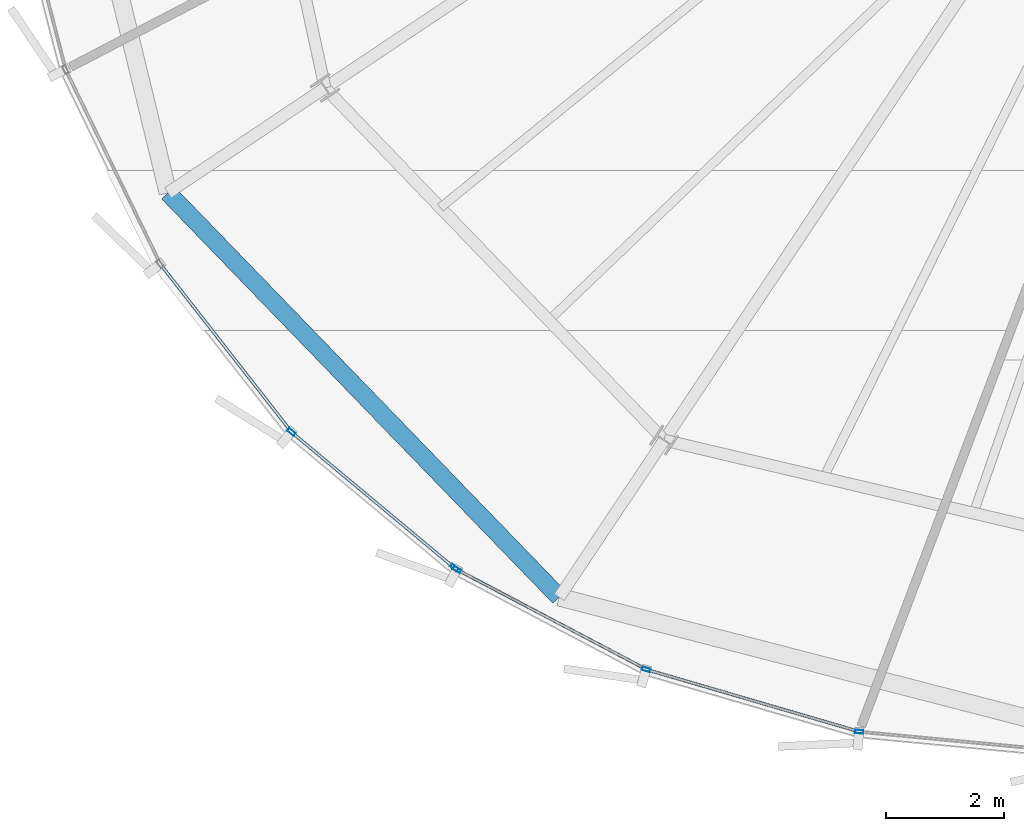
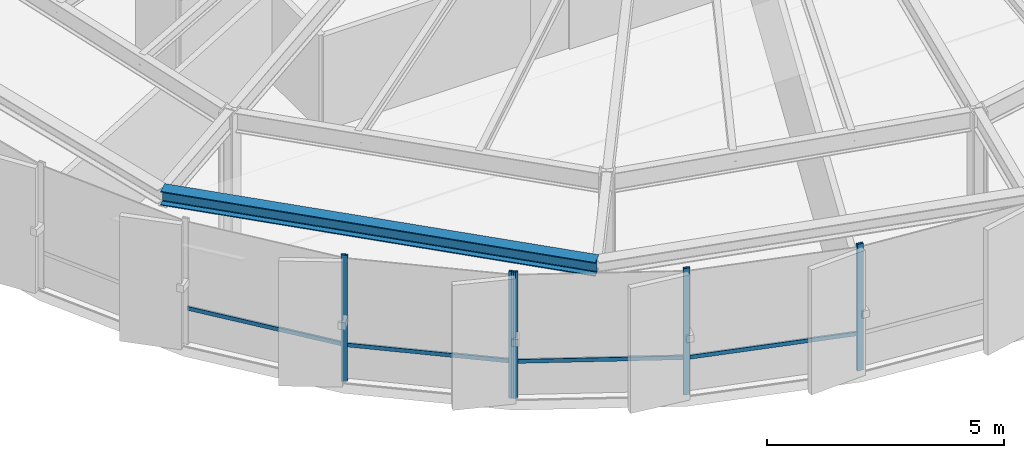
# One storey, part 2 of 33: 9 members, 1 beam, 2 elements without a shape of their own.
"""IFC4 building model written with IfcOpenShell, lengths in metres."""

from ifc_helpers import new_model, si_unit, direction, frame, origin, origin_2d, place, context, subcontext, project, spatial, hollow_rectangle, i_section, extrude, source, transform, mapped, material, layer, layer_set, material_profile, profile_set, type_object, element, aggregate, save


model = new_model("IFC4")

# Units and contexts
model_context = context("Model", 3, precision=1e-05, world=origin(), true_north=direction((0.0, 1.0)))
body_context = subcontext(model_context, "Body", "Model", "MODEL_VIEW")
ifc_project = project(units=[si_unit("LENGTHUNIT", "METRE"), si_unit("AREAUNIT", "SQUARE_METRE"), si_unit("VOLUMEUNIT", "CUBIC_METRE"), si_unit("PLANEANGLEUNIT", "RADIAN"), si_unit("MASSUNIT", "GRAM", prefix="KILO"), si_unit("THERMODYNAMICTEMPERATUREUNIT", "KELVIN")], contexts=[model_context])

# Site, building, storey
site_placement = place(None, origin())
site = spatial("IfcSite", under=ifc_project, at=site_placement, CompositionType="ELEMENT")
building_placement = place(site_placement, origin())
building = spatial("IfcBuilding", under=site, at=building_placement, Name="Kethvar Cultural Tower", CompositionType="ELEMENT")
storey_placement = place(building_placement, frame((0.0, 0.0, 211.39990234375)))
storey = spatial("IfcBuildingStorey", under=building, at=storey_placement, Name="L55", CompositionType="ELEMENT", Elevation=211.39990234375)

# Beam
ifc_material_1 = material(Name="Steel S355J2", Category="steel")
ifc_material_profile_1 = material_profile(ifc_material_1, i_section(OverallWidth=0.300048828125, OverallDepth=0.360107421875, WebThickness=0.012451171875, FlangeThickness=0.0224609375, FilletRadius=0.027099609375, at=origin_2d()), Name="Steel S355J2 — HEB360")
ifc_profile_set_1 = profile_set([ifc_material_profile_1], Name="Steel S355J2 — HEB360")
beam_type = type_object("IfcBeamType", Name="BM-SP360", PredefinedType="SPANDREL", material=ifc_profile_set_1)
shared_shape_1 = source(origin(), body_context, "Body", "SweptSolid", [
    extrude(i_section(OverallWidth=0.300048828125, OverallDepth=0.360107421875, WebThickness=0.012451171875, FlangeThickness=0.0224609375, FilletRadius=0.027099609375, at=origin_2d()), origin(), (0.0, 0.0, 1.0), 9.531982421875),
])
beam_placement = place(storey_placement, frame((26.556884765625, 14.27392578125, 3.078125), z_axis=(0.695343772208, -0.71867728394, 0.0), x_axis=(0.71867728394, 0.695343772208, 0.0)))
element("IfcBeam", 1, at=beam_placement, inside=storey, type_object=beam_type, Name="L55 Perimeter Spandrel Beam SP-10", PredefinedType="SPANDREL", context=body_context, shape_type="MappedRepresentation", body=[
    mapped(shared_shape_1, transform((0.0, 0.0, 0.0), scale=1.0)),
])

# Curtain wall, members
ifc_material_2 = material(Name="Aluminium 6063-T6", Category="aluminium")
ifc_layer = layer(ifc_material_2, 0.179931640625, Name="Aluminium 6063-T6", Category="aluminium")
ifc_layer_set = layer_set([ifc_layer], Name="Aluminium 6063-T6 (180 mm)")
curtain_wall_type = type_object("IfcCurtainWallType", Name="CW-SYS-04-Z34", PredefinedType="NOTDEFINED", material=ifc_layer_set)
curtain_wall_1_placement = place(storey_placement, origin())
curtain_wall_1 = element("IfcCurtainWall", 2, at=curtain_wall_1_placement, inside=storey, type_object=curtain_wall_type, Name="L55 Curtain Wall Run 03", PredefinedType="NOTDEFINED")
ifc_material_profile_2 = material_profile(ifc_material_2, hollow_rectangle(XDim=0.06005859375, YDim=0.139892578125, WallThickness=0.0048828125, at=origin_2d()), Name="Aluminium 6063-T6 — RHS140x60x5")
ifc_profile_set_2 = profile_set([ifc_material_profile_2], Name="Aluminium 6063-T6 — RHS140x60x5")
member_type_1 = type_object("IfcMemberType", Name="CW-SYS-04-Z34-MUL", PredefinedType="MULLION", material=ifc_profile_set_2)
shared_shape_2 = source(origin(), body_context, "Body", "SweptSolid", [
    extrude(hollow_rectangle(XDim=0.06005859375, YDim=0.139892578125, WallThickness=0.0048828125, at=origin_2d()), origin(), (0.0, 0.0, 1.0), 3.260009765625),
])
member_1_placement = place(storey_placement, frame((28.645263671875, 10.222900390625, 0.0), z_axis=(0.0, 0.0, 1.0), x_axis=(0.640216965862, 0.76819413993, 0.0)))
member_1 = element("IfcMember", 3, at=member_1_placement, type_object=member_type_1, Name="CW-L55-R03 Mullion 6", PredefinedType="MULLION", context=body_context, shape_type="MappedRepresentation", body=[
    mapped(shared_shape_2, transform((0.0, 0.0, 0.0), scale=1.0)),
])
member_2_placement = place(storey_placement, frame((31.40625, 7.922119140625, 0.0), z_axis=(0.0, 0.0, 1.0), x_axis=(0.640216965862, 0.76819413993, 0.0)))
member_2 = element("IfcMember", 4, at=member_2_placement, type_object=member_type_1, Name="CW-L55-R03 Mullion 7", PredefinedType="MULLION", context=body_context, shape_type="MappedRepresentation", body=[
    mapped(shared_shape_2, transform((0.0, 0.0, 0.0), scale=1.0)),
])

curtain_wall_2_placement = place(storey_placement, origin())
curtain_wall_2 = element("IfcCurtainWall", 5, at=curtain_wall_2_placement, inside=storey, type_object=curtain_wall_type, Name="L55 Curtain Wall Run 04", PredefinedType="NOTDEFINED")
member_3_placement = place(storey_placement, frame((31.45166015625, 7.8916015625, 0.0), z_axis=(0.0, 0.0, 1.0), x_axis=(0.46638664034, 0.884580975215, 0.0)))
member_3 = element("IfcMember", 6, at=member_3_placement, type_object=member_type_1, Name="CW-L55-R04 Mullion 1", PredefinedType="MULLION", context=body_context, shape_type="MappedRepresentation", body=[
    mapped(shared_shape_2, transform((0.0, 0.0, 0.0), scale=1.0)),
])
member_4_placement = place(storey_placement, frame((34.656494140625, 6.19921875, 0.0), z_axis=(0.0, 0.0, 1.0), x_axis=(0.280113854236, 0.959966785189, 0.0)))
member_4 = element("IfcMember", 7, at=member_4_placement, type_object=member_type_1, Name="CW-L55-R04 Mullion 2", PredefinedType="MULLION", context=body_context, shape_type="MappedRepresentation", body=[
    mapped(shared_shape_2, transform((0.0, 0.0, 0.0), scale=1.0)),
])
member_5_placement = place(storey_placement, frame((38.26611328125, 5.14404296875, 0.0), z_axis=(0.0, 0.0, 1.0), x_axis=(0.09409093747, 0.995563606951, 0.0)))
member_5 = element("IfcMember", 8, at=member_5_placement, type_object=member_type_1, Name="CW-L55-R04 Mullion 3", PredefinedType="MULLION", context=body_context, shape_type="MappedRepresentation", body=[
    mapped(shared_shape_2, transform((0.0, 0.0, 0.0), scale=1.0)),
])
ifc_material_profile_3 = material_profile(ifc_material_2, hollow_rectangle(XDim=0.050048828125, YDim=0.10009765625, WallThickness=0.00390625, at=origin_2d()), Name="Aluminium 6063-T6 — RHS100x50x4")
ifc_profile_set_3 = profile_set([ifc_material_profile_3], Name="Aluminium 6063-T6 — RHS100x50x4")
member_type_2 = type_object("IfcMemberType", Name="CW-SYS-04-Z34-TRN", PredefinedType="USERDEFINED", material=ifc_profile_set_3)
shared_shape_3 = source(origin(), body_context, "Body", "SweptSolid", [
    extrude(hollow_rectangle(XDim=0.050048828125, YDim=0.10009765625, WallThickness=0.00390625, at=origin_2d()), origin(), (0.0, 0.0, 1.0), 3.695068359375),
])
member_6_placement = place(storey_placement, frame((34.697998046875, 6.187255859375, 0.9501953125), z_axis=(0.959957808842, -0.280144614873, 0.0), x_axis=(0.280144614873, 0.959957808842, 0.0)))
member_6 = element("IfcMember", 9, at=member_6_placement, type_object=member_type_2, Name="CW-L55-R04 Transom 2", ObjectType="TRANSOM", PredefinedType="USERDEFINED", context=body_context, shape_type="MappedRepresentation", body=[
    mapped(shared_shape_3, transform((0.0, 0.0, 0.0), scale=1.0)),
])
shared_shape_4 = source(origin(), body_context, "Body", "SweptSolid", [
    extrude(hollow_rectangle(XDim=0.050048828125, YDim=0.10009765625, WallThickness=0.00390625, at=origin_2d()), origin(), (0.0, 0.0, 1.0), 3.598876953125),
])
member_7_placement = place(storey_placement, frame((31.455322265625, 7.8896484375, 0.9501953125), z_axis=(0.884586909971, -0.4663753839, 0.0), x_axis=(0.4663753839, 0.884586909971, 0.0)))
member_7 = element("IfcMember", 10, at=member_7_placement, type_object=member_type_2, Name="CW-L55-R04 Transom 1", ObjectType="TRANSOM", PredefinedType="USERDEFINED", context=body_context, shape_type="MappedRepresentation", body=[
    mapped(shared_shape_4, transform((0.0, 0.0, 0.0), scale=1.0)),
])
aggregate(curtain_wall_2, [member_3, member_4, member_5, member_7, member_6])

# Member
shared_shape_5 = source(origin(), body_context, "Body", "SweptSolid", [
    extrude(hollow_rectangle(XDim=0.050048828125, YDim=0.10009765625, WallThickness=0.00390625, at=origin_2d()), origin(), (0.0, 0.0, 1.0), 3.547119140625),
])
member_8_placement = place(storey_placement, frame((26.45068359375, 13.034912109375, 0.9501953125), z_axis=(0.615816330239, -0.787889743182, 0.0), x_axis=(0.787889743182, 0.615816330239, 0.0)))
member_8 = element("IfcMember", 11, at=member_8_placement, type_object=member_type_2, Name="CW-L55-R03 Transom 5", ObjectType="TRANSOM", PredefinedType="USERDEFINED", context=body_context, shape_type="MappedRepresentation", body=[
    mapped(shared_shape_5, transform((0.0, 0.0, 0.0), scale=1.0)),
])

shared_shape_6 = source(origin(), body_context, "Body", "SweptSolid", [
    extrude(hollow_rectangle(XDim=0.050048828125, YDim=0.10009765625, WallThickness=0.00390625, at=origin_2d()), origin(), (0.0, 0.0, 1.0), 3.546630859375),
])
member_9_placement = place(storey_placement, frame((28.678466796875, 10.1953125, 0.9501953125), z_axis=(0.768221279597, -0.640184399664, 0.0), x_axis=(0.640184399664, 0.768221279597, 0.0)))
member_9 = element("IfcMember", 12, at=member_9_placement, type_object=member_type_2, Name="CW-L55-R03 Transom 6", ObjectType="TRANSOM", PredefinedType="USERDEFINED", context=body_context, shape_type="MappedRepresentation", body=[
    mapped(shared_shape_6, transform((0.0, 0.0, 0.0), scale=1.0)),
])

aggregate(curtain_wall_1, [member_1, member_2, member_8, member_9])

save(model, "model.ifc")
